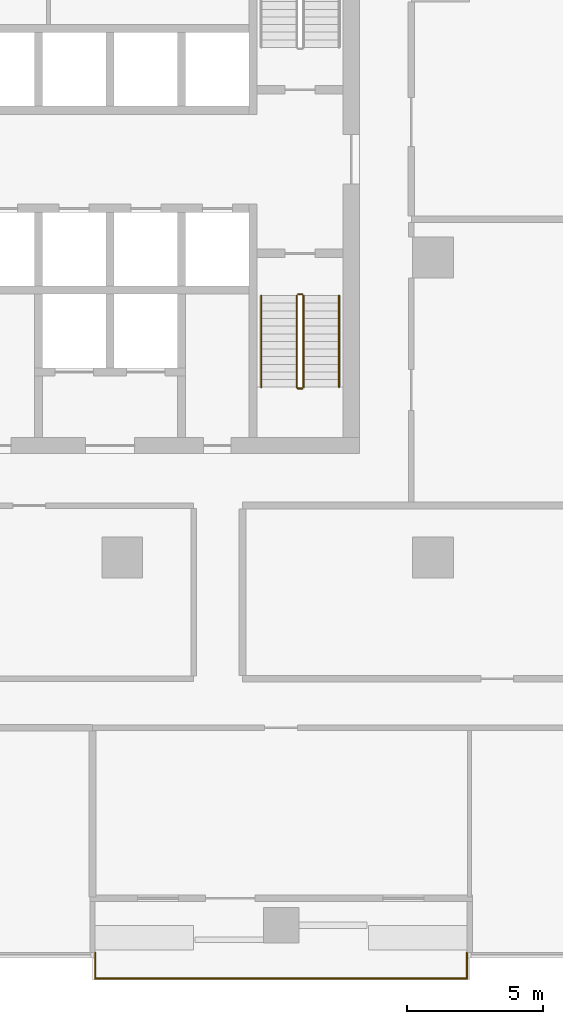
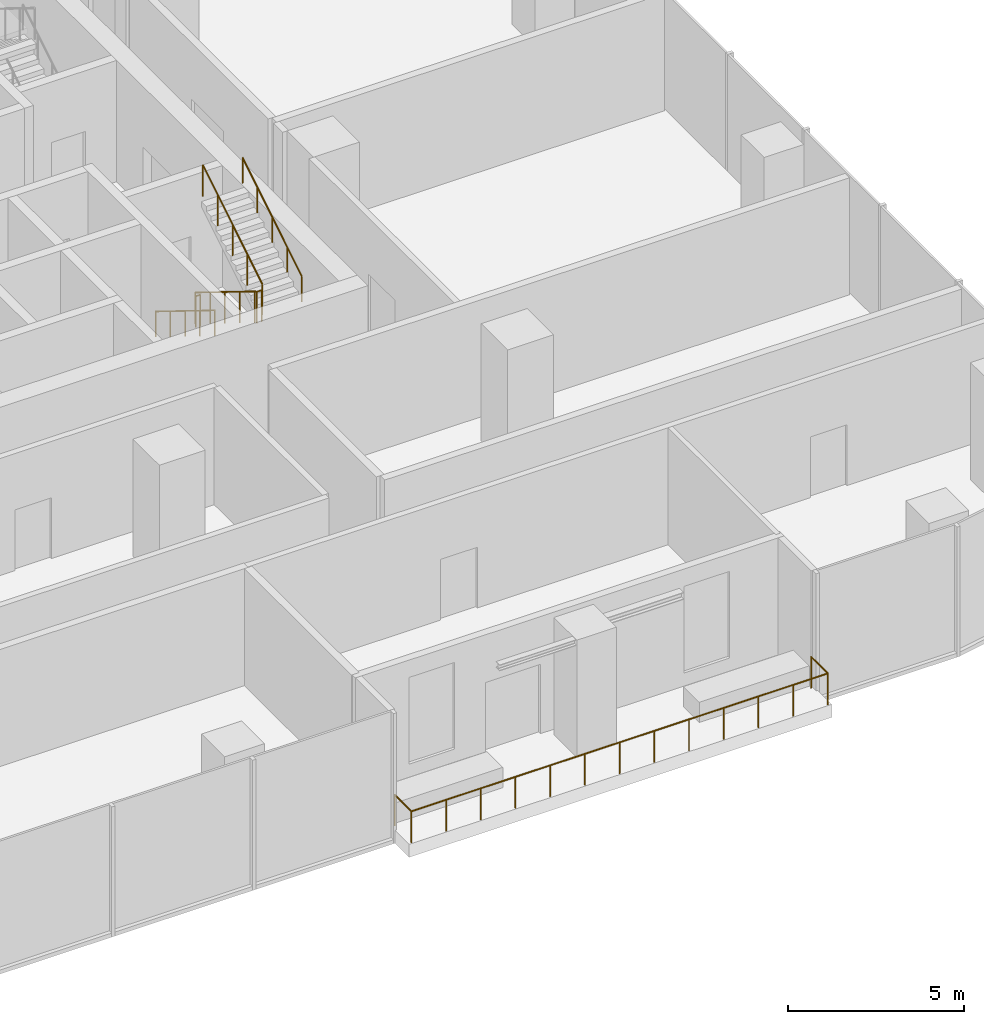
# One storey, part 13 of 15: 6 railings.
"""IFC4 building model written with IfcOpenShell, lengths in metres."""

from ifc_helpers import new_model, si_unit, direction, frame, origin, origin_2d, place, context, subcontext, project, spatial, circle, extrude, material, type_object, element, save


model = new_model("IFC4")

# Units and contexts
model_context = context("Model", 3, precision=1e-05, world=origin(), true_north=direction((0.0, 1.0)))
body_context = subcontext(model_context, "Body", "Model", "MODEL_VIEW")
ifc_project = project(units=[si_unit("LENGTHUNIT", "METRE"), si_unit("AREAUNIT", "SQUARE_METRE"), si_unit("VOLUMEUNIT", "CUBIC_METRE"), si_unit("PLANEANGLEUNIT", "RADIAN"), si_unit("MASSUNIT", "GRAM", prefix="KILO")], contexts=[model_context])

# Site, building, storey
site_placement = place(None, origin())
site = spatial("IfcSite", under=ifc_project, at=site_placement, CompositionType="ELEMENT")
building_placement = place(site_placement, origin())
building = spatial("IfcBuilding", under=site, at=building_placement, Name="Mopane Tessera Tower", CompositionType="ELEMENT")
storey_placement = place(building_placement, frame((0.0, 0.0, 103.60009765625)))
storey = spatial("IfcBuildingStorey", under=building, at=storey_placement, Name="L20", CompositionType="ELEMENT", Elevation=103.60009765625)

# Railings
ifc_material_1 = material(Name="Powder-coated steel balustrade", Category="steel")
railing_type_1 = type_object("IfcRailingType", Name="Escape stair guard 1100 mm", PredefinedType="GUARDRAIL", material=ifc_material_1)
railing_1_placement = place(storey_placement, frame((12.10009765625, -1.39990234375, 0.173095703125)))
element("IfcRailing", 1, at=railing_1_placement, inside=storey, type_object=railing_type_1, Name="L20 ST3 stair guard 1", PredefinedType="GUARDRAIL", context=body_context, shape_type="SweptSolid", body=[
    extrude(circle(Radius=0.02392578125, at=origin_2d()), frame((0.0, 0.0, 1.076171875), z_axis=(0.0, -0.850623216509, 0.525775754039), x_axis=(1.0, 0.0, 0.0)), (0.0, 0.0, 1.0), 3.9501953125),
    extrude(circle(Radius=0.02392578125, at=origin_2d()), frame((0.0, -3.360107421875, 3.15283203125), z_axis=(0.705375805398, -0.708833529934, 0.0), x_axis=(0.708833529934, 0.705375805398, 0.0)), (0.0, 0.0, 1.0), 0.070556640625),
    extrude(circle(Radius=0.02392578125, at=origin_2d()), frame((0.0498046875, -3.41015625, 3.15283203125), z_axis=(1.0, 0.0, 0.0), x_axis=(0.0, 1.0, 0.0)), (0.0, 0.0, 1.0), 0.150146484375),
    extrude(circle(Radius=0.02099609375, at=origin_2d()), origin(), (0.0, 0.0, 1.0), 1.052001953125),
    extrude(circle(Radius=0.02099609375, at=origin_2d()), frame((0.0, -0.840087890625, 0.519287109375)), (0.0, 0.0, 1.0), 1.052001953125),
    extrude(circle(Radius=0.02099609375, at=origin_2d()), frame((0.0, -1.68017578125, 1.03857421875)), (0.0, 0.0, 1.0), 1.052001953125),
    extrude(circle(Radius=0.02099609375, at=origin_2d()), frame((0.0, -2.52001953125, 1.5576171875)), (0.0, 0.0, 1.0), 1.052001953125),
    extrude(circle(Radius=0.02099609375, at=origin_2d()), frame((0.0, -3.360107421875, 2.076904296875)), (0.0, 0.0, 1.0), 1.052001953125),
    extrude(circle(Radius=0.02099609375, at=origin_2d()), frame((0.0498046875, -3.41015625, 2.076904296875)), (0.0, 0.0, 1.0), 1.052001953125),
    extrude(circle(Radius=0.02099609375, at=origin_2d()), frame((0.199951171875, -3.41015625, 2.076904296875)), (0.0, 0.0, 1.0), 1.052001953125),
])
railing_2_placement = place(storey_placement, frame((12.35009765625, -4.760009765625, 2.423095703125)))
element("IfcRailing", 2, at=railing_2_placement, inside=storey, type_object=railing_type_1, Name="L20 ST3 stair guard 2", PredefinedType="GUARDRAIL", context=body_context, shape_type="SweptSolid", body=[
    extrude(circle(Radius=0.02392578125, at=origin_2d()), frame((0.0, 0.0, 1.076171875), z_axis=(0.0, 0.850623216509, 0.525775754039), x_axis=(-1.0, 0.0, 0.0)), (0.0, 0.0, 1.0), 3.9501953125),
    extrude(circle(Radius=0.02099609375, at=origin_2d()), origin(), (0.0, 0.0, 1.0), 1.052001953125),
    extrude(circle(Radius=0.02099609375, at=origin_2d()), frame((0.0, 0.840087890625, 0.519287109375)), (0.0, 0.0, 1.0), 1.052001953125),
    extrude(circle(Radius=0.02099609375, at=origin_2d()), frame((0.0, 1.68017578125, 1.03857421875)), (0.0, 0.0, 1.0), 1.052001953125),
    extrude(circle(Radius=0.02099609375, at=origin_2d()), frame((0.0, 2.52001953125, 1.5576171875)), (0.0, 0.0, 1.0), 1.052001953125),
    extrude(circle(Radius=0.02099609375, at=origin_2d()), frame((0.0, 3.360107421875, 2.076904296875)), (0.0, 0.0, 1.0), 1.052001953125),
])
railing_3_placement = place(storey_placement, frame((12.14990234375, -1.35009765625, 0.0)))
element("IfcRailing", 3, at=railing_3_placement, inside=storey, type_object=railing_type_1, Name="L20 ST3 stair guard 3", PredefinedType="GUARDRAIL", context=body_context, shape_type="SweptSolid", body=[
    extrude(circle(Radius=0.02392578125, at=origin_2d()), frame((0.0, 0.0, 1.076171875), z_axis=(1.0, 0.0, 0.0), x_axis=(0.0, 1.0, 0.0)), (0.0, 0.0, 1.0), 0.150146484375),
    extrude(circle(Radius=0.02099609375, at=origin_2d()), origin(), (0.0, 0.0, 1.0), 1.052001953125),
    extrude(circle(Radius=0.02099609375, at=origin_2d()), frame((0.150146484375, 0.0, 0.0)), (0.0, 0.0, 1.0), 1.052001953125),
])
ifc_material_2 = material(Name="Powder-coated steel balustrade", Category="steel")
railing_type_2 = type_object("IfcRailingType", Name="Escape stair handrail 900 mm", PredefinedType="HANDRAIL", material=ifc_material_2)
railing_4_placement = place(storey_placement, frame((10.800048828125, -1.39990234375, 0.173095703125)))
element("IfcRailing", 4, at=railing_4_placement, inside=storey, type_object=railing_type_2, Name="L20 ST3 stair handrail 1", PredefinedType="HANDRAIL", context=body_context, shape_type="SweptSolid", body=[
    extrude(circle(Radius=0.02392578125, at=origin_2d()), frame((0.0, 0.0, 0.8759765625), z_axis=(0.0, -0.850623216509, 0.525775754039), x_axis=(1.0, 0.0, 0.0)), (0.0, 0.0, 1.0), 3.9501953125),
    extrude(circle(Radius=0.02099609375, at=origin_2d()), origin(), (0.0, 0.0, 1.0), 0.851806640625),
    extrude(circle(Radius=0.02099609375, at=origin_2d()), frame((0.0, -0.840087890625, 0.519287109375)), (0.0, 0.0, 1.0), 0.851806640625),
    extrude(circle(Radius=0.02099609375, at=origin_2d()), frame((0.0, -1.68017578125, 1.03857421875)), (0.0, 0.0, 1.0), 0.851806640625),
    extrude(circle(Radius=0.02099609375, at=origin_2d()), frame((0.0, -2.52001953125, 1.5576171875)), (0.0, 0.0, 1.0), 0.851806640625),
    extrude(circle(Radius=0.02099609375, at=origin_2d()), frame((0.0, -3.360107421875, 2.076904296875)), (0.0, 0.0, 1.0), 0.851806640625),
])
railing_5_placement = place(storey_placement, frame((13.64990234375, -4.760009765625, 2.423095703125)))
element("IfcRailing", 5, at=railing_5_placement, inside=storey, type_object=railing_type_2, Name="L20 ST3 stair handrail 2", PredefinedType="HANDRAIL", context=body_context, shape_type="SweptSolid", body=[
    extrude(circle(Radius=0.02392578125, at=origin_2d()), frame((0.0, 0.0, 0.8759765625), z_axis=(0.0, 0.850623216509, 0.525775754039), x_axis=(-1.0, 0.0, 0.0)), (0.0, 0.0, 1.0), 3.9501953125),
    extrude(circle(Radius=0.02099609375, at=origin_2d()), origin(), (0.0, 0.0, 1.0), 0.851806640625),
    extrude(circle(Radius=0.02099609375, at=origin_2d()), frame((0.0, 0.840087890625, 0.519287109375)), (0.0, 0.0, 1.0), 0.851806640625),
    extrude(circle(Radius=0.02099609375, at=origin_2d()), frame((0.0, 1.68017578125, 1.03857421875)), (0.0, 0.0, 1.0), 0.851806640625),
    extrude(circle(Radius=0.02099609375, at=origin_2d()), frame((0.0, 2.52001953125, 1.5576171875)), (0.0, 0.0, 1.0), 0.851806640625),
    extrude(circle(Radius=0.02099609375, at=origin_2d()), frame((0.0, 3.360107421875, 2.076904296875)), (0.0, 0.0, 1.0), 0.851806640625),
])
ifc_material_3 = material(Name="Stainless steel S316", Category="steel")
railing_type_3 = type_object("IfcRailingType", Name="Terrace guard 1100", PredefinedType="GUARDRAIL", material=ifc_material_3)
railing_6_placement = place(storey_placement, frame((4.7099609375, -25.5, 0.0)))
element("IfcRailing", 6, at=railing_6_placement, inside=storey, type_object=railing_type_3, Name="e:nw:L20:N3:guard", PredefinedType="GUARDRAIL", context=body_context, shape_type="SweptSolid", body=[
    extrude(circle(Radius=0.02392578125, at=origin_2d()), frame((0.0, 0.0, 1.076171875), z_axis=(0.0, -1.0, 0.0), x_axis=(1.0, 0.0, 0.0)), (0.0, 0.0, 1.0), 0.949951171875),
    extrude(circle(Radius=0.02392578125, at=origin_2d()), frame((0.0, -0.949951171875, 1.076171875), z_axis=(1.0, 0.0, 0.0), x_axis=(0.0, 1.0, 0.0)), (0.0, 0.0, 1.0), 13.630126953125),
    extrude(circle(Radius=0.02392578125, at=origin_2d()), frame((13.630126953125, -0.949951171875, 1.076171875), z_axis=(0.0, 1.0, 0.0), x_axis=(-1.0, 0.0, 0.0)), (0.0, 0.0, 1.0), 0.949951171875),
    extrude(circle(Radius=0.02099609375, at=origin_2d()), origin(), (0.0, 0.0, 1.0), 1.052001953125),
    extrude(circle(Radius=0.02099609375, at=origin_2d()), frame((0.0, -0.949951171875, 0.0)), (0.0, 0.0, 1.0), 1.052001953125),
    extrude(circle(Radius=0.02099609375, at=origin_2d()), frame((1.1357421875, -0.949951171875, 0.0)), (0.0, 0.0, 1.0), 1.052001953125),
    extrude(circle(Radius=0.02099609375, at=origin_2d()), frame((2.271728515625, -0.949951171875, 0.0)), (0.0, 0.0, 1.0), 1.052001953125),
    extrude(circle(Radius=0.02099609375, at=origin_2d()), frame((3.407470703125, -0.949951171875, 0.0)), (0.0, 0.0, 1.0), 1.052001953125),
    extrude(circle(Radius=0.02099609375, at=origin_2d()), frame((4.54345703125, -0.949951171875, 0.0)), (0.0, 0.0, 1.0), 1.052001953125),
    extrude(circle(Radius=0.02099609375, at=origin_2d()), frame((5.67919921875, -0.949951171875, 0.0)), (0.0, 0.0, 1.0), 1.052001953125),
    extrude(circle(Radius=0.02099609375, at=origin_2d()), frame((6.81494140625, -0.949951171875, 0.0)), (0.0, 0.0, 1.0), 1.052001953125),
    extrude(circle(Radius=0.02099609375, at=origin_2d()), frame((7.950927734375, -0.949951171875, 0.0)), (0.0, 0.0, 1.0), 1.052001953125),
    extrude(circle(Radius=0.02099609375, at=origin_2d()), frame((9.086669921875, -0.949951171875, 0.0)), (0.0, 0.0, 1.0), 1.052001953125),
    extrude(circle(Radius=0.02099609375, at=origin_2d()), frame((10.22265625, -0.949951171875, 0.0)), (0.0, 0.0, 1.0), 1.052001953125),
    extrude(circle(Radius=0.02099609375, at=origin_2d()), frame((11.3583984375, -0.949951171875, 0.0)), (0.0, 0.0, 1.0), 1.052001953125),
    extrude(circle(Radius=0.02099609375, at=origin_2d()), frame((12.494384765625, -0.949951171875, 0.0)), (0.0, 0.0, 1.0), 1.052001953125),
    extrude(circle(Radius=0.02099609375, at=origin_2d()), frame((13.630126953125, -0.949951171875, 0.0)), (0.0, 0.0, 1.0), 1.052001953125),
    extrude(circle(Radius=0.02099609375, at=origin_2d()), frame((13.630126953125, 0.0, 0.0)), (0.0, 0.0, 1.0), 1.052001953125),
])

save(model, "model.ifc")
